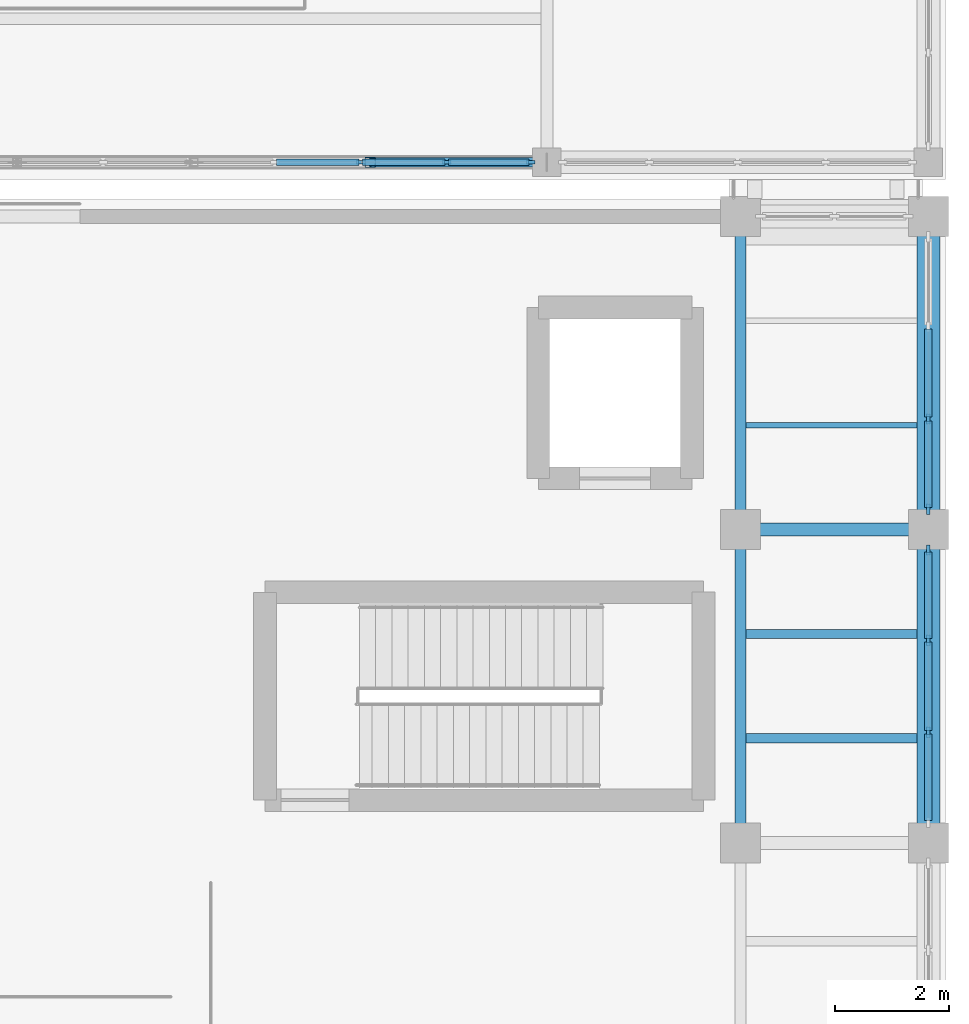
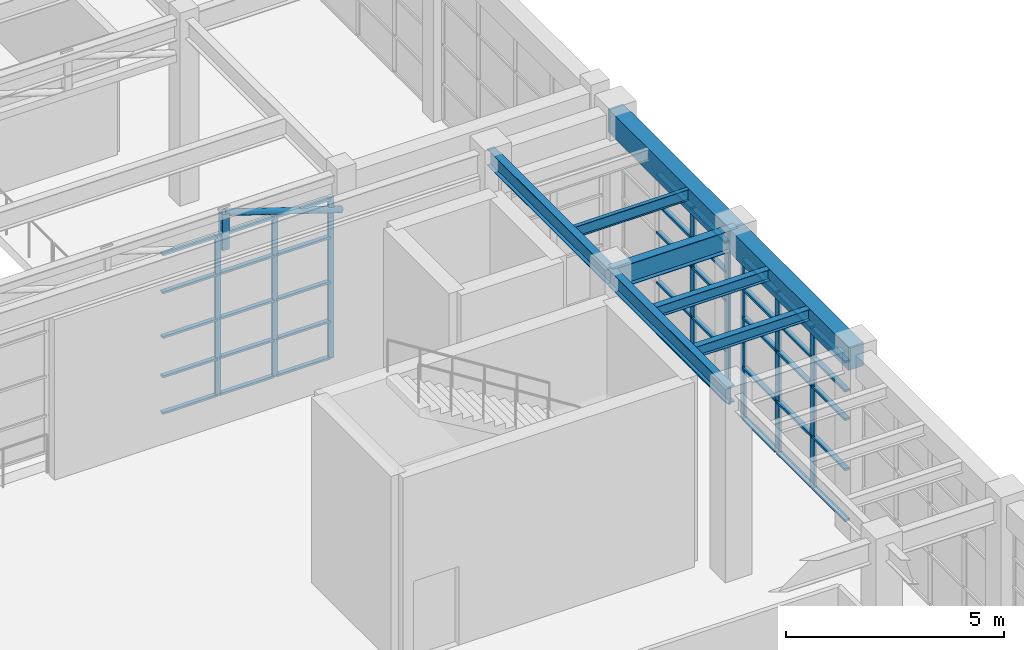
# One storey, part 50 of 103: 50 members, 8 beams, 3 elements without a shape of their own.
"""IFC4 building model written with IfcOpenShell, lengths in metres."""

import ifcopenshell
import ifcopenshell.guid

model = None  # the IFC model being written
_history = None  # IfcOwnerHistory: only IFC2X3 demands one
_inside = {}  # id of a spatial element -> (the spatial element, [elements in it])
_under = {}  # id of a project, library or spatial element -> (it, [spatial elements below it])
_declared = {}  # id of a project -> (the project, [libraries it declares])
_typed = {}  # id of a type object -> (the type object, [elements of that type])
_made_of = {}  # id of a material, layer set ... -> (it, [elements and type objects made of it])


def new_model(schema):
    """Start an empty IFC model of exactly this schema.

    Asked for "IFC4X3", IfcOpenShell would pick the latest addendum, in which some entities
    have other attributes; the version numbers below select the first issue.
    IFC2X3 requires an IfcOwnerHistory on every rooted entity: one is made here for all.
    """
    global model, _history
    if schema == "IFC4X3":
        model = ifcopenshell.file(schema_version=(4, 3, 0, 0))
    else:
        model = ifcopenshell.file(schema=schema)
    _inside.clear()
    _under.clear()
    _declared.clear()
    _typed.clear()
    _made_of.clear()
    _history = None
    if model.schema == "IFC2X3":
        org = make("IfcOrganization", Name="unknown")
        user = make(
            "IfcPersonAndOrganization",
            ThePerson=make("IfcPerson", FamilyName="unknown"),
            TheOrganization=org,
        )
        app = make(
            "IfcApplication",
            ApplicationDeveloper=org,
            Version="unknown",
            ApplicationFullName="unknown",
            ApplicationIdentifier="unknown",
        )
        _history = make(
            "IfcOwnerHistory",
            OwningUser=user,
            OwningApplication=app,
            ChangeAction="ADDED",
            CreationDate=0,
        )
    return model


def make(cls, **values):
    """One entity of the class cls with the attributes given. An attribute that is None is left unset."""
    return model.create_entity(
        cls, **{name: value for name, value in values.items() if value is not None}
    )


def rooted(cls, **values):
    """An entity with a GlobalId (a new one), such as an element, a storey or a relation."""
    return make(cls, GlobalId=ifcopenshell.guid.new(), OwnerHistory=_history, **values)


def si_unit(unit_type, name, prefix=None):
    """IfcSIUnit, for example si_unit("LENGTHUNIT", "METRE", prefix="MILLI")."""
    return make("IfcSIUnit", UnitType=unit_type, Prefix=prefix, Name=name)


def assignment(units):
    """IfcUnitAssignment: the units of a project."""
    return None if units is None else make("IfcUnitAssignment", Units=units)


def point(xyz):
    """IfcCartesianPoint."""
    return None if xyz is None else make("IfcCartesianPoint", Coordinates=xyz)


def direction(xyz):
    """IfcDirection."""
    return None if xyz is None else make("IfcDirection", DirectionRatios=xyz)


def frame(location, z_axis=None, x_axis=None):
    """IfcAxis2Placement3D, a coordinate frame: its origin and axes. An axis left out is left unset."""
    return make(
        "IfcAxis2Placement3D",
        Location=point(location),
        Axis=direction(z_axis),
        RefDirection=direction(x_axis),
    )


def frame_2d(location, x_axis=None):
    """IfcAxis2Placement2D, a coordinate frame in the plane: its origin and x axis."""
    return make(
        "IfcAxis2Placement2D", Location=point(location), RefDirection=direction(x_axis)
    )


def origin():
    """The frame at (0, 0, 0) with its axes left unset."""
    return frame((0.0, 0.0, 0.0))


def origin_2d():
    """The frame at (0, 0) in the plane with its x axis left unset."""
    return frame_2d((0.0, 0.0))


def place(relative_to, where):
    """IfcLocalPlacement: puts the frame where relative to a parent placement (None: the world)."""
    return make(
        "IfcLocalPlacement", PlacementRelTo=relative_to, RelativePlacement=where
    )


def context(
    kind, dimensions, precision=None, world=None, true_north=None, identifier=None
):
    """IfcGeometricRepresentationContext, for example the 3D "Model" context."""
    return make(
        "IfcGeometricRepresentationContext",
        ContextIdentifier=identifier,
        ContextType=kind,
        CoordinateSpaceDimension=dimensions,
        Precision=precision,
        WorldCoordinateSystem=world,
        TrueNorth=true_north,
    )


def subcontext(parent, identifier, kind, view, scale=None):
    """IfcGeometricRepresentationSubContext, for example "Body" below "Model"."""
    return make(
        "IfcGeometricRepresentationSubContext",
        ContextIdentifier=identifier,
        ContextType=kind,
        ParentContext=parent,
        TargetScale=scale,
        TargetView=view,
    )


def project(units=None, contexts=None):
    """IfcProject with its units and contexts."""
    return rooted(
        "IfcProject",
        Name="project",
        RepresentationContexts=contexts,
        UnitsInContext=assignment(units),
    )


def spatial(cls, under=None, at=None, **own):
    """A site, building, storey or space (cls), placed at a placement, below another one or the project."""
    s = rooted(cls, ObjectPlacement=at, **own)
    if under is not None:
        _under.setdefault(under.id(), (under, []))[1].append(s)
    return s


def profile(cls, at=None, kind="AREA", **sizes):
    """A parametric profile (cls). Its sizes go by their IFC names, for example OverallWidth=200.0."""
    return make(cls, ProfileType=kind, Position=at, **sizes)


def rectangle(**sizes):
    """IfcRectangleProfileDef."""
    return profile("IfcRectangleProfileDef", **sizes)


def hollow_rectangle(**sizes):
    """IfcRectangleHollowProfileDef."""
    return profile("IfcRectangleHollowProfileDef", **sizes)


def hollow_circle(**sizes):
    """IfcCircleHollowProfileDef."""
    return profile("IfcCircleHollowProfileDef", **sizes)


def i_section(**sizes):
    """IfcIShapeProfileDef."""
    return profile("IfcIShapeProfileDef", **sizes)


def extrude(swept, where, along, depth):
    """IfcExtrudedAreaSolid: the profile swept, set in the frame where, extruded along a direction by depth."""
    return make(
        "IfcExtrudedAreaSolid",
        SweptArea=swept,
        Position=where,
        ExtrudedDirection=direction(along),
        Depth=depth,
    )


def shape(context_of_items, identifier, shape_type, items):
    """IfcShapeRepresentation: the items that make up one representation, for example the "Body"."""
    return make(
        "IfcShapeRepresentation",
        ContextOfItems=context_of_items,
        RepresentationIdentifier=identifier,
        RepresentationType=shape_type,
        Items=items,
    )


def material(Name=None, Category=None):
    """IfcMaterial."""
    return make("IfcMaterial", Name=Name, Category=Category)


def layer(
    of_material, thickness, ventilated=None, Name=None, Category=None, Priority=None
):
    """IfcMaterialLayer: one layer of a wall or slab, of a material (None: an air gap)."""
    return make(
        "IfcMaterialLayer",
        Material=of_material,
        LayerThickness=thickness,
        IsVentilated=ventilated,
        Name=Name,
        Category=Category,
        Priority=Priority,
    )


def layer_set(layers, Name=None):
    """IfcMaterialLayerSet."""
    return make("IfcMaterialLayerSet", MaterialLayers=layers, LayerSetName=Name)


def material_profile(
    of_material, cross_section, Name=None, Category=None, Priority=None
):
    """IfcMaterialProfile: a cross section and its material."""
    return make(
        "IfcMaterialProfile",
        Name=Name,
        Material=of_material,
        Profile=cross_section,
        Priority=Priority,
        Category=Category,
    )


def profile_set(profiles, Name=None, composite=None):
    """IfcMaterialProfileSet."""
    return make(
        "IfcMaterialProfileSet",
        Name=Name,
        MaterialProfiles=profiles,
        CompositeProfile=composite,
    )


def made_of(thing, what):
    """Note that an element or type object is made of a material, layer set ...; save() writes the relation."""
    if what is not None:
        _made_of.setdefault(what.id(), (what, []))[1].append(thing)
    return thing


def type_object(cls, material=None, **own):
    """A type object (cls), such as IfcWallType, which elements share."""
    return made_of(rooted(cls, **own), material)


def element(
    cls,
    number,
    at=None,
    inside=None,
    cuts=None,
    type_object=None,
    material=None,
    context=None,
    identifier="Body",
    shape_type=None,
    held_by="IfcProductDefinitionShape",
    body=None,
    shapes=None,
    **own,
):
    """One element of the class cls, such as IfcWall. Its Tag is "e" and its number.

    at: its placement. inside: the storey or other place that contains it. cuts: it is an
    opening in that element (IfcRelVoidsElement). A single representation is given by context,
    identifier, shape_type and body (its items); several are given by shapes. held_by: the class
    of the entity that holds the representations. save() writes the other relations.
    """
    e = rooted(cls, Tag="e%d" % number, ObjectPlacement=at, **own)
    if body is not None:
        shapes = [shape(context, identifier, shape_type, body)]
    if shapes is not None:
        e.Representation = make(held_by, Representations=shapes)
    if inside is not None:
        _inside.setdefault(inside.id(), (inside, []))[1].append(e)
    if cuts is not None:
        rooted(
            "IfcRelVoidsElement", RelatingBuildingElement=cuts, RelatedOpeningElement=e
        )
    if type_object is not None:
        _typed.setdefault(type_object.id(), (type_object, []))[1].append(e)
    return made_of(e, material)


def aggregate(whole, parts):
    """IfcRelAggregates: a whole, such as a stair, and the parts it consists of."""
    return rooted("IfcRelAggregates", RelatingObject=whole, RelatedObjects=parts)


def save(model, path):
    """Write the relations noted so far, then the file.

    IfcRelAggregates (storeys below a building ...), IfcRelContainedInSpatialStructure (elements
    in a storey), IfcRelDefinesByType, IfcRelAssociatesMaterial and IfcRelDeclares: one each for
    every whole, place, type object, material and project.
    """
    for whole, parts in _under.values():
        aggregate(whole, parts)
    for where, things in _inside.values():
        rooted(
            "IfcRelContainedInSpatialStructure",
            RelatedElements=things,
            RelatingStructure=where,
        )
    for kind, things in _typed.values():
        rooted("IfcRelDefinesByType", RelatedObjects=things, RelatingType=kind)
    for what, things in _made_of.values():
        rooted("IfcRelAssociatesMaterial", RelatedObjects=things, RelatingMaterial=what)
    for by, libraries in _declared.values():
        rooted("IfcRelDeclares", RelatingContext=by, RelatedDefinitions=libraries)
    model.write(path)


model = new_model("IFC4")

# Units and contexts
model_context = context("Model", 3, precision=1e-05, world=origin(), true_north=direction((0.0, 1.0)))
body_context = subcontext(model_context, "Body", "Model", "MODEL_VIEW")
ifc_project = project(units=[si_unit("LENGTHUNIT", "METRE"), si_unit("AREAUNIT", "SQUARE_METRE"), si_unit("VOLUMEUNIT", "CUBIC_METRE"), si_unit("PLANEANGLEUNIT", "RADIAN"), si_unit("MASSUNIT", "GRAM", prefix="KILO")], contexts=[model_context])

# Site, building, storey
site_placement = place(None, origin())
site = spatial("IfcSite", under=ifc_project, at=site_placement, CompositionType="ELEMENT")
building_placement = place(site_placement, origin())
building = spatial("IfcBuilding", under=site, at=building_placement, Name="Candilejo Ridge Gondola Terminal", CompositionType="ELEMENT")
storey_placement = place(building_placement, frame((0.0, 0.0, 9.0)))
storey = spatial("IfcBuildingStorey", under=building, at=storey_placement, Name="L02", CompositionType="ELEMENT", Elevation=9.0)

# Curtain wall, members
ifc_material_1 = material(Name="Anodised aluminium AA 6063-T6", Category="aluminium")
ifc_layer_1 = layer(ifc_material_1, 0.169921875)
ifc_layer_set_1 = layer_set([ifc_layer_1], Name="ARC-CW-TOWER-3000-1810X449")
curtain_wall_type_1 = type_object("IfcCurtainWallType", Name="ARC-CW-TOWER-3000-1810X449", PredefinedType="NOTDEFINED", material=ifc_layer_set_1)
curtain_wall_1_placement = place(storey_placement, origin())
curtain_wall_1 = element("IfcCurtainWall", 1, at=curtain_wall_1_placement, inside=storey, type_object=curtain_wall_type_1, Name="Curtain wall V5 L02-192", PredefinedType="NOTDEFINED")
ifc_material_2 = material(Name="Anodised aluminium AA 6063-T6", Category="aluminium")
ifc_material_profile_1 = material_profile(ifc_material_2, rectangle(XDim=0.06494140625, YDim=0.14990234375, at=origin_2d()))
ifc_profile_set_1 = profile_set([ifc_material_profile_1], Name="Anodised aluminium AA 6063-T6")
member_type_1 = type_object("IfcMemberType", Name="ARC-CW-MULLION-150", PredefinedType="MULLION", material=ifc_profile_set_1)
member_1_placement = place(storey_placement, frame((165.333251953125, 48.64990234375, 0.0), z_axis=(0.0, 0.0, 1.0), x_axis=(0.0, 1.0, 0.0)))
member_1 = element("IfcMember", 2, at=member_1_placement, type_object=member_type_1, Name="CW-181X44 mullion 11", PredefinedType="MULLION", context=body_context, shape_type="SweptSolid", body=[
    extrude(rectangle(XDim=0.06494140625, YDim=0.14990234375, at=origin_2d()), origin(), (0.0, 0.0, 1.0), 4.489990234375),
])
member_2_placement = place(storey_placement, frame((166.841552734375, 48.64990234375, 0.0), z_axis=(0.0, 0.0, 1.0), x_axis=(0.0, 1.0, 0.0)))
member_2 = element("IfcMember", 3, at=member_2_placement, type_object=member_type_1, Name="CW-181X44 mullion 12", PredefinedType="MULLION", context=body_context, shape_type="SweptSolid", body=[
    extrude(rectangle(XDim=0.06494140625, YDim=0.14990234375, at=origin_2d()), origin(), (0.0, 0.0, 1.0), 4.489990234375),
])
member_3_placement = place(storey_placement, frame((168.3173828125, 48.64990234375, 0.0), z_axis=(0.0, 0.0, 1.0), x_axis=(0.0, 1.0, 0.0)))
member_3 = element("IfcMember", 4, at=member_3_placement, type_object=member_type_1, Name="CW-181X44 mullion 13", PredefinedType="MULLION", context=body_context, shape_type="SweptSolid", body=[
    extrude(rectangle(XDim=0.06494140625, YDim=0.14990234375, at=origin_2d()), origin(), (0.0, 0.0, 1.0), 4.489990234375),
])

ifc_material_3 = material(Name="Anodised aluminium AA 6063-T6", Category="aluminium")
ifc_layer_2 = layer(ifc_material_3, 0.169921875)
ifc_layer_set_2 = layer_set([ifc_layer_2], Name="ARC-CW-HALL-3800-485X449")
curtain_wall_type_2 = type_object("IfcCurtainWallType", Name="ARC-CW-HALL-3800-485X449", PredefinedType="NOTDEFINED", material=ifc_layer_set_2)
curtain_wall_2_placement = place(storey_placement, origin())
curtain_wall_2 = element("IfcCurtainWall", 5, at=curtain_wall_2_placement, inside=storey, type_object=curtain_wall_type_2, Name="Curtain wall V4 L02-141", PredefinedType="NOTDEFINED")
ifc_material_4 = material(Name="Anodised aluminium AA 6063-T6", Category="aluminium")
ifc_material_profile_2 = material_profile(ifc_material_4, rectangle(XDim=0.06494140625, YDim=0.179931640625, at=origin_2d()))
ifc_profile_set_2 = profile_set([ifc_material_profile_2], Name="Anodised aluminium AA 6063-T6")
member_type_2 = type_object("IfcMemberType", Name="ARC-CW-MULLION-180", PredefinedType="MULLION", material=ifc_profile_set_2)
member_4_placement = place(storey_placement, frame((175.300048828125, 38.6416015625, 0.0), z_axis=(0.0, 0.0, 1.0), x_axis=(-1.0, 0.0, 0.0)))
member_4 = element("IfcMember", 6, at=member_4_placement, type_object=member_type_2, Name="CW-48X44 mullion 2", PredefinedType="MULLION", context=body_context, shape_type="SweptSolid", body=[
    extrude(rectangle(XDim=0.06494140625, YDim=0.179931640625, at=origin_2d()), origin(), (0.0, 0.0, 1.0), 4.489990234375),
])
member_5_placement = place(storey_placement, frame((175.300048828125, 40.25830078125, 0.0), z_axis=(0.0, 0.0, 1.0), x_axis=(-1.0, 0.0, 0.0)))
member_5 = element("IfcMember", 7, at=member_5_placement, type_object=member_type_2, Name="CW-48X44 mullion 3", PredefinedType="MULLION", context=body_context, shape_type="SweptSolid", body=[
    extrude(rectangle(XDim=0.06494140625, YDim=0.179931640625, at=origin_2d()), origin(), (0.0, 0.0, 1.0), 4.489990234375),
])
member_6_placement = place(storey_placement, frame((175.300048828125, 41.842529296875, 0.0), z_axis=(0.0, 0.0, 1.0), x_axis=(-1.0, 0.0, 0.0)))
member_6 = element("IfcMember", 8, at=member_6_placement, type_object=member_type_2, Name="CW-48X44 mullion 4", PredefinedType="MULLION", context=body_context, shape_type="SweptSolid", body=[
    extrude(rectangle(XDim=0.06494140625, YDim=0.179931640625, at=origin_2d()), origin(), (0.0, 0.0, 1.0), 4.489990234375),
])

curtain_wall_3_placement = place(storey_placement, origin())
curtain_wall_3 = element("IfcCurtainWall", 9, at=curtain_wall_3_placement, inside=storey, type_object=curtain_wall_type_2, Name="Curtain wall V4 L02-143", PredefinedType="NOTDEFINED")
member_7_placement = place(storey_placement, frame((175.300048828125, 42.5576171875, 0.0), z_axis=(0.0, 0.0, 1.0), x_axis=(-1.0, 0.0, 0.0)))
member_7 = element("IfcMember", 10, at=member_7_placement, type_object=member_type_2, Name="CW-48X44 mullion 1", PredefinedType="MULLION", context=body_context, shape_type="SweptSolid", body=[
    extrude(rectangle(XDim=0.06494140625, YDim=0.179931640625, at=origin_2d()), origin(), (0.0, 0.0, 1.0), 4.489990234375),
])
member_8_placement = place(storey_placement, frame((175.300048828125, 44.1416015625, 0.0), z_axis=(0.0, 0.0, 1.0), x_axis=(-1.0, 0.0, 0.0)))
member_8 = element("IfcMember", 11, at=member_8_placement, type_object=member_type_2, Name="CW-48X44 mullion 2", PredefinedType="MULLION", context=body_context, shape_type="SweptSolid", body=[
    extrude(rectangle(XDim=0.06494140625, YDim=0.179931640625, at=origin_2d()), origin(), (0.0, 0.0, 1.0), 4.489990234375),
])

# Member
ifc_material_5 = material(Name="Anodised aluminium AA 6063-T6", Category="aluminium")
ifc_material_profile_3 = material_profile(ifc_material_5, rectangle(XDim=0.110107421875, YDim=0.06005859375, at=origin_2d()))
ifc_profile_set_3 = profile_set([ifc_material_profile_3], Name="Anodised aluminium AA 6063-T6")
member_type_3 = type_object("IfcMemberType", Name="ARC-CW-TRANSOM-110", PredefinedType="USERDEFINED", material=ifc_profile_set_3)
member_9_placement = place(storey_placement, frame((163.857421875, 48.64990234375, 0.030029296875), z_axis=(1.0, 0.0, 0.0), x_axis=(0.0, 1.0, 0.0)))
member_9 = element("IfcMember", 12, at=member_9_placement, type_object=member_type_3, Name="CW-181X44 transom 10.1", ObjectType="TRANSOM", PredefinedType="USERDEFINED", context=body_context, shape_type="SweptSolid", body=[
    extrude(rectangle(XDim=0.110107421875, YDim=0.06005859375, at=origin_2d()), origin(), (0.0, 0.0, 1.0), 1.443359375),
])

member_10_placement = place(storey_placement, frame((163.857421875, 48.64990234375, 1.050048828125), z_axis=(1.0, 0.0, 0.0), x_axis=(0.0, 1.0, 0.0)))
member_10 = element("IfcMember", 13, at=member_10_placement, type_object=member_type_3, Name="CW-181X44 transom 10.2", ObjectType="TRANSOM", PredefinedType="USERDEFINED", context=body_context, shape_type="SweptSolid", body=[
    extrude(rectangle(XDim=0.110107421875, YDim=0.06005859375, at=origin_2d()), origin(), (0.0, 0.0, 1.0), 1.443359375),
])

member_11_placement = place(storey_placement, frame((163.857421875, 48.64990234375, 2.14990234375), z_axis=(1.0, 0.0, 0.0), x_axis=(0.0, 1.0, 0.0)))
member_11 = element("IfcMember", 14, at=member_11_placement, type_object=member_type_3, Name="CW-181X44 transom 10.3", ObjectType="TRANSOM", PredefinedType="USERDEFINED", context=body_context, shape_type="SweptSolid", body=[
    extrude(rectangle(XDim=0.110107421875, YDim=0.06005859375, at=origin_2d()), origin(), (0.0, 0.0, 1.0), 1.443359375),
])

member_12_placement = place(storey_placement, frame((163.857421875, 48.64990234375, 3.39990234375), z_axis=(1.0, 0.0, 0.0), x_axis=(0.0, 1.0, 0.0)))
member_12 = element("IfcMember", 15, at=member_12_placement, type_object=member_type_3, Name="CW-181X44 transom 10.4", ObjectType="TRANSOM", PredefinedType="USERDEFINED", context=body_context, shape_type="SweptSolid", body=[
    extrude(rectangle(XDim=0.110107421875, YDim=0.06005859375, at=origin_2d()), origin(), (0.0, 0.0, 1.0), 1.443359375),
])

member_13_placement = place(storey_placement, frame((163.857421875, 48.64990234375, 4.4599609375), z_axis=(1.0, 0.0, 0.0), x_axis=(0.0, 1.0, 0.0)))
member_13 = element("IfcMember", 16, at=member_13_placement, type_object=member_type_3, Name="CW-181X44 transom 10.5", ObjectType="TRANSOM", PredefinedType="USERDEFINED", context=body_context, shape_type="SweptSolid", body=[
    extrude(rectangle(XDim=0.110107421875, YDim=0.06005859375, at=origin_2d()), origin(), (0.0, 0.0, 1.0), 1.443359375),
])

member_14_placement = place(storey_placement, frame((165.36572265625, 48.64990234375, 0.030029296875), z_axis=(1.0, 0.0, 0.0), x_axis=(0.0, 1.0, 0.0)))
member_14 = element("IfcMember", 17, at=member_14_placement, type_object=member_type_3, Name="CW-181X44 transom 11.1", ObjectType="TRANSOM", PredefinedType="USERDEFINED", context=body_context, shape_type="SweptSolid", body=[
    extrude(rectangle(XDim=0.110107421875, YDim=0.06005859375, at=origin_2d()), origin(), (0.0, 0.0, 1.0), 1.443359375),
])

member_15_placement = place(storey_placement, frame((165.36572265625, 48.64990234375, 1.050048828125), z_axis=(1.0, 0.0, 0.0), x_axis=(0.0, 1.0, 0.0)))
member_15 = element("IfcMember", 18, at=member_15_placement, type_object=member_type_3, Name="CW-181X44 transom 11.2", ObjectType="TRANSOM", PredefinedType="USERDEFINED", context=body_context, shape_type="SweptSolid", body=[
    extrude(rectangle(XDim=0.110107421875, YDim=0.06005859375, at=origin_2d()), origin(), (0.0, 0.0, 1.0), 1.443359375),
])

member_16_placement = place(storey_placement, frame((165.36572265625, 48.64990234375, 2.14990234375), z_axis=(1.0, 0.0, 0.0), x_axis=(0.0, 1.0, 0.0)))
member_16 = element("IfcMember", 19, at=member_16_placement, type_object=member_type_3, Name="CW-181X44 transom 11.3", ObjectType="TRANSOM", PredefinedType="USERDEFINED", context=body_context, shape_type="SweptSolid", body=[
    extrude(rectangle(XDim=0.110107421875, YDim=0.06005859375, at=origin_2d()), origin(), (0.0, 0.0, 1.0), 1.443359375),
])

member_17_placement = place(storey_placement, frame((165.36572265625, 48.64990234375, 3.39990234375), z_axis=(1.0, 0.0, 0.0), x_axis=(0.0, 1.0, 0.0)))
member_17 = element("IfcMember", 20, at=member_17_placement, type_object=member_type_3, Name="CW-181X44 transom 11.4", ObjectType="TRANSOM", PredefinedType="USERDEFINED", context=body_context, shape_type="SweptSolid", body=[
    extrude(rectangle(XDim=0.110107421875, YDim=0.06005859375, at=origin_2d()), origin(), (0.0, 0.0, 1.0), 1.443359375),
])

member_18_placement = place(storey_placement, frame((165.36572265625, 48.64990234375, 4.4599609375), z_axis=(1.0, 0.0, 0.0), x_axis=(0.0, 1.0, 0.0)))
member_18 = element("IfcMember", 21, at=member_18_placement, type_object=member_type_3, Name="CW-181X44 transom 11.5", ObjectType="TRANSOM", PredefinedType="USERDEFINED", context=body_context, shape_type="SweptSolid", body=[
    extrude(rectangle(XDim=0.110107421875, YDim=0.06005859375, at=origin_2d()), origin(), (0.0, 0.0, 1.0), 1.443359375),
])

member_19_placement = place(storey_placement, frame((166.874267578125, 48.64990234375, 0.030029296875), z_axis=(1.0, 0.0, 0.0), x_axis=(0.0, 1.0, 0.0)))
member_19 = element("IfcMember", 22, at=member_19_placement, type_object=member_type_3, Name="CW-181X44 transom 12.1", ObjectType="TRANSOM", PredefinedType="USERDEFINED", context=body_context, shape_type="SweptSolid", body=[
    extrude(rectangle(XDim=0.110107421875, YDim=0.06005859375, at=origin_2d()), origin(), (0.0, 0.0, 1.0), 1.41064453125),
])

member_20_placement = place(storey_placement, frame((166.874267578125, 48.64990234375, 1.050048828125), z_axis=(1.0, 0.0, 0.0), x_axis=(0.0, 1.0, 0.0)))
member_20 = element("IfcMember", 23, at=member_20_placement, type_object=member_type_3, Name="CW-181X44 transom 12.2", ObjectType="TRANSOM", PredefinedType="USERDEFINED", context=body_context, shape_type="SweptSolid", body=[
    extrude(rectangle(XDim=0.110107421875, YDim=0.06005859375, at=origin_2d()), origin(), (0.0, 0.0, 1.0), 1.41064453125),
])

member_21_placement = place(storey_placement, frame((166.874267578125, 48.64990234375, 2.14990234375), z_axis=(1.0, 0.0, 0.0), x_axis=(0.0, 1.0, 0.0)))
member_21 = element("IfcMember", 24, at=member_21_placement, type_object=member_type_3, Name="CW-181X44 transom 12.3", ObjectType="TRANSOM", PredefinedType="USERDEFINED", context=body_context, shape_type="SweptSolid", body=[
    extrude(rectangle(XDim=0.110107421875, YDim=0.06005859375, at=origin_2d()), origin(), (0.0, 0.0, 1.0), 1.41064453125),
])

member_22_placement = place(storey_placement, frame((166.874267578125, 48.64990234375, 3.39990234375), z_axis=(1.0, 0.0, 0.0), x_axis=(0.0, 1.0, 0.0)))
member_22 = element("IfcMember", 25, at=member_22_placement, type_object=member_type_3, Name="CW-181X44 transom 12.4", ObjectType="TRANSOM", PredefinedType="USERDEFINED", context=body_context, shape_type="SweptSolid", body=[
    extrude(rectangle(XDim=0.110107421875, YDim=0.06005859375, at=origin_2d()), origin(), (0.0, 0.0, 1.0), 1.41064453125),
])

member_23_placement = place(storey_placement, frame((166.874267578125, 48.64990234375, 4.4599609375), z_axis=(1.0, 0.0, 0.0), x_axis=(0.0, 1.0, 0.0)))
member_23 = element("IfcMember", 26, at=member_23_placement, type_object=member_type_3, Name="CW-181X44 transom 12.5", ObjectType="TRANSOM", PredefinedType="USERDEFINED", context=body_context, shape_type="SweptSolid", body=[
    extrude(rectangle(XDim=0.110107421875, YDim=0.06005859375, at=origin_2d()), origin(), (0.0, 0.0, 1.0), 1.41064453125),
])

aggregate(curtain_wall_1, [member_1, member_2, member_3, member_9, member_10, member_11, member_12, member_13, member_14, member_15, member_16, member_17, member_18, member_19, member_20, member_21, member_22, member_23])

ifc_material_6 = material(Name="Anodised aluminium AA 6063-T6", Category="aluminium")
ifc_material_profile_4 = material_profile(ifc_material_6, rectangle(XDim=0.1298828125, YDim=0.06005859375, at=origin_2d()))
ifc_profile_set_4 = profile_set([ifc_material_profile_4], Name="Anodised aluminium AA 6063-T6")
member_type_4 = type_object("IfcMemberType", Name="ARC-CW-TRANSOM-130", PredefinedType="USERDEFINED", material=ifc_profile_set_4)
member_24_placement = place(storey_placement, frame((175.300048828125, 37.090087890625, 0.030029296875), z_axis=(0.0, 1.0, 0.0), x_axis=(-1.0, 0.0, 0.0)))
member_24 = element("IfcMember", 27, at=member_24_placement, type_object=member_type_4, Name="CW-48X44 transom 1.1", ObjectType="TRANSOM", PredefinedType="USERDEFINED", context=body_context, shape_type="SweptSolid", body=[
    extrude(rectangle(XDim=0.1298828125, YDim=0.06005859375, at=origin_2d()), origin(), (0.0, 0.0, 1.0), 1.51904296875),
])

member_25_placement = place(storey_placement, frame((175.300048828125, 37.090087890625, 1.449951171875), z_axis=(0.0, 1.0, 0.0), x_axis=(-1.0, 0.0, 0.0)))
member_25 = element("IfcMember", 28, at=member_25_placement, type_object=member_type_4, Name="CW-48X44 transom 1.2", ObjectType="TRANSOM", PredefinedType="USERDEFINED", context=body_context, shape_type="SweptSolid", body=[
    extrude(rectangle(XDim=0.1298828125, YDim=0.06005859375, at=origin_2d()), origin(), (0.0, 0.0, 1.0), 1.51904296875),
])

member_26_placement = place(storey_placement, frame((175.300048828125, 37.090087890625, 2.85009765625), z_axis=(0.0, 1.0, 0.0), x_axis=(-1.0, 0.0, 0.0)))
member_26 = element("IfcMember", 29, at=member_26_placement, type_object=member_type_4, Name="CW-48X44 transom 1.3", ObjectType="TRANSOM", PredefinedType="USERDEFINED", context=body_context, shape_type="SweptSolid", body=[
    extrude(rectangle(XDim=0.1298828125, YDim=0.06005859375, at=origin_2d()), origin(), (0.0, 0.0, 1.0), 1.51904296875),
])

member_27_placement = place(storey_placement, frame((175.300048828125, 37.090087890625, 3.64990234375), z_axis=(0.0, 1.0, 0.0), x_axis=(-1.0, 0.0, 0.0)))
member_27 = element("IfcMember", 30, at=member_27_placement, type_object=member_type_4, Name="CW-48X44 transom 1.4", ObjectType="TRANSOM", PredefinedType="USERDEFINED", context=body_context, shape_type="SweptSolid", body=[
    extrude(rectangle(XDim=0.1298828125, YDim=0.06005859375, at=origin_2d()), origin(), (0.0, 0.0, 1.0), 1.51904296875),
])

member_28_placement = place(storey_placement, frame((175.300048828125, 37.090087890625, 4.4599609375), z_axis=(0.0, 1.0, 0.0), x_axis=(-1.0, 0.0, 0.0)))
member_28 = element("IfcMember", 31, at=member_28_placement, type_object=member_type_4, Name="CW-48X44 transom 1.5", ObjectType="TRANSOM", PredefinedType="USERDEFINED", context=body_context, shape_type="SweptSolid", body=[
    extrude(rectangle(XDim=0.1298828125, YDim=0.06005859375, at=origin_2d()), origin(), (0.0, 0.0, 1.0), 1.51904296875),
])

member_29_placement = place(storey_placement, frame((175.300048828125, 38.674072265625, 0.030029296875), z_axis=(0.0, 1.0, 0.0), x_axis=(-1.0, 0.0, 0.0)))
member_29 = element("IfcMember", 32, at=member_29_placement, type_object=member_type_4, Name="CW-48X44 transom 2.1", ObjectType="TRANSOM", PredefinedType="USERDEFINED", context=body_context, shape_type="SweptSolid", body=[
    extrude(rectangle(XDim=0.1298828125, YDim=0.06005859375, at=origin_2d()), origin(), (0.0, 0.0, 1.0), 1.5517578125),
])

member_30_placement = place(storey_placement, frame((175.300048828125, 38.674072265625, 1.449951171875), z_axis=(0.0, 1.0, 0.0), x_axis=(-1.0, 0.0, 0.0)))
member_30 = element("IfcMember", 33, at=member_30_placement, type_object=member_type_4, Name="CW-48X44 transom 2.2", ObjectType="TRANSOM", PredefinedType="USERDEFINED", context=body_context, shape_type="SweptSolid", body=[
    extrude(rectangle(XDim=0.1298828125, YDim=0.06005859375, at=origin_2d()), origin(), (0.0, 0.0, 1.0), 1.5517578125),
])

member_31_placement = place(storey_placement, frame((175.300048828125, 38.674072265625, 2.85009765625), z_axis=(0.0, 1.0, 0.0), x_axis=(-1.0, 0.0, 0.0)))
member_31 = element("IfcMember", 34, at=member_31_placement, type_object=member_type_4, Name="CW-48X44 transom 2.3", ObjectType="TRANSOM", PredefinedType="USERDEFINED", context=body_context, shape_type="SweptSolid", body=[
    extrude(rectangle(XDim=0.1298828125, YDim=0.06005859375, at=origin_2d()), origin(), (0.0, 0.0, 1.0), 1.5517578125),
])

member_32_placement = place(storey_placement, frame((175.300048828125, 38.674072265625, 3.64990234375), z_axis=(0.0, 1.0, 0.0), x_axis=(-1.0, 0.0, 0.0)))
member_32 = element("IfcMember", 35, at=member_32_placement, type_object=member_type_4, Name="CW-48X44 transom 2.4", ObjectType="TRANSOM", PredefinedType="USERDEFINED", context=body_context, shape_type="SweptSolid", body=[
    extrude(rectangle(XDim=0.1298828125, YDim=0.06005859375, at=origin_2d()), origin(), (0.0, 0.0, 1.0), 1.5517578125),
])

member_33_placement = place(storey_placement, frame((175.300048828125, 38.674072265625, 4.4599609375), z_axis=(0.0, 1.0, 0.0), x_axis=(-1.0, 0.0, 0.0)))
member_33 = element("IfcMember", 36, at=member_33_placement, type_object=member_type_4, Name="CW-48X44 transom 2.5", ObjectType="TRANSOM", PredefinedType="USERDEFINED", context=body_context, shape_type="SweptSolid", body=[
    extrude(rectangle(XDim=0.1298828125, YDim=0.06005859375, at=origin_2d()), origin(), (0.0, 0.0, 1.0), 1.5517578125),
])

member_34_placement = place(storey_placement, frame((175.300048828125, 40.290771484375, 0.030029296875), z_axis=(0.0, 1.0, 0.0), x_axis=(-1.0, 0.0, 0.0)))
member_34 = element("IfcMember", 37, at=member_34_placement, type_object=member_type_4, Name="CW-48X44 transom 3.1", ObjectType="TRANSOM", PredefinedType="USERDEFINED", context=body_context, shape_type="SweptSolid", body=[
    extrude(rectangle(XDim=0.1298828125, YDim=0.06005859375, at=origin_2d()), origin(), (0.0, 0.0, 1.0), 1.519287109375),
])

member_35_placement = place(storey_placement, frame((175.300048828125, 40.290771484375, 1.449951171875), z_axis=(0.0, 1.0, 0.0), x_axis=(-1.0, 0.0, 0.0)))
member_35 = element("IfcMember", 38, at=member_35_placement, type_object=member_type_4, Name="CW-48X44 transom 3.2", ObjectType="TRANSOM", PredefinedType="USERDEFINED", context=body_context, shape_type="SweptSolid", body=[
    extrude(rectangle(XDim=0.1298828125, YDim=0.06005859375, at=origin_2d()), origin(), (0.0, 0.0, 1.0), 1.519287109375),
])

member_36_placement = place(storey_placement, frame((175.300048828125, 40.290771484375, 2.85009765625), z_axis=(0.0, 1.0, 0.0), x_axis=(-1.0, 0.0, 0.0)))
member_36 = element("IfcMember", 39, at=member_36_placement, type_object=member_type_4, Name="CW-48X44 transom 3.3", ObjectType="TRANSOM", PredefinedType="USERDEFINED", context=body_context, shape_type="SweptSolid", body=[
    extrude(rectangle(XDim=0.1298828125, YDim=0.06005859375, at=origin_2d()), origin(), (0.0, 0.0, 1.0), 1.519287109375),
])

member_37_placement = place(storey_placement, frame((175.300048828125, 40.290771484375, 3.64990234375), z_axis=(0.0, 1.0, 0.0), x_axis=(-1.0, 0.0, 0.0)))
member_37 = element("IfcMember", 40, at=member_37_placement, type_object=member_type_4, Name="CW-48X44 transom 3.4", ObjectType="TRANSOM", PredefinedType="USERDEFINED", context=body_context, shape_type="SweptSolid", body=[
    extrude(rectangle(XDim=0.1298828125, YDim=0.06005859375, at=origin_2d()), origin(), (0.0, 0.0, 1.0), 1.519287109375),
])

member_38_placement = place(storey_placement, frame((175.300048828125, 40.290771484375, 4.4599609375), z_axis=(0.0, 1.0, 0.0), x_axis=(-1.0, 0.0, 0.0)))
member_38 = element("IfcMember", 41, at=member_38_placement, type_object=member_type_4, Name="CW-48X44 transom 3.5", ObjectType="TRANSOM", PredefinedType="USERDEFINED", context=body_context, shape_type="SweptSolid", body=[
    extrude(rectangle(XDim=0.1298828125, YDim=0.06005859375, at=origin_2d()), origin(), (0.0, 0.0, 1.0), 1.519287109375),
])

aggregate(curtain_wall_2, [member_4, member_5, member_6, member_24, member_25, member_26, member_27, member_28, member_29, member_30, member_31, member_32, member_33, member_34, member_35, member_36, member_37, member_38])

member_39_placement = place(storey_placement, frame((175.300048828125, 42.590087890625, 0.030029296875), z_axis=(0.0, 1.0, 0.0), x_axis=(-1.0, 0.0, 0.0)))
member_39 = element("IfcMember", 42, at=member_39_placement, type_object=member_type_4, Name="CW-48X44 transom 1.1", ObjectType="TRANSOM", PredefinedType="USERDEFINED", context=body_context, shape_type="SweptSolid", body=[
    extrude(rectangle(XDim=0.1298828125, YDim=0.06005859375, at=origin_2d()), origin(), (0.0, 0.0, 1.0), 1.51904296875),
])

member_40_placement = place(storey_placement, frame((175.300048828125, 42.590087890625, 1.449951171875), z_axis=(0.0, 1.0, 0.0), x_axis=(-1.0, 0.0, 0.0)))
member_40 = element("IfcMember", 43, at=member_40_placement, type_object=member_type_4, Name="CW-48X44 transom 1.2", ObjectType="TRANSOM", PredefinedType="USERDEFINED", context=body_context, shape_type="SweptSolid", body=[
    extrude(rectangle(XDim=0.1298828125, YDim=0.06005859375, at=origin_2d()), origin(), (0.0, 0.0, 1.0), 1.51904296875),
])

member_41_placement = place(storey_placement, frame((175.300048828125, 42.590087890625, 2.85009765625), z_axis=(0.0, 1.0, 0.0), x_axis=(-1.0, 0.0, 0.0)))
member_41 = element("IfcMember", 44, at=member_41_placement, type_object=member_type_4, Name="CW-48X44 transom 1.3", ObjectType="TRANSOM", PredefinedType="USERDEFINED", context=body_context, shape_type="SweptSolid", body=[
    extrude(rectangle(XDim=0.1298828125, YDim=0.06005859375, at=origin_2d()), origin(), (0.0, 0.0, 1.0), 1.51904296875),
])

member_42_placement = place(storey_placement, frame((175.300048828125, 42.590087890625, 3.64990234375), z_axis=(0.0, 1.0, 0.0), x_axis=(-1.0, 0.0, 0.0)))
member_42 = element("IfcMember", 45, at=member_42_placement, type_object=member_type_4, Name="CW-48X44 transom 1.4", ObjectType="TRANSOM", PredefinedType="USERDEFINED", context=body_context, shape_type="SweptSolid", body=[
    extrude(rectangle(XDim=0.1298828125, YDim=0.06005859375, at=origin_2d()), origin(), (0.0, 0.0, 1.0), 1.51904296875),
])

member_43_placement = place(storey_placement, frame((175.300048828125, 42.590087890625, 4.4599609375), z_axis=(0.0, 1.0, 0.0), x_axis=(-1.0, 0.0, 0.0)))
member_43 = element("IfcMember", 46, at=member_43_placement, type_object=member_type_4, Name="CW-48X44 transom 1.5", ObjectType="TRANSOM", PredefinedType="USERDEFINED", context=body_context, shape_type="SweptSolid", body=[
    extrude(rectangle(XDim=0.1298828125, YDim=0.06005859375, at=origin_2d()), origin(), (0.0, 0.0, 1.0), 1.51904296875),
])

member_44_placement = place(storey_placement, frame((175.300048828125, 44.174072265625, 0.030029296875), z_axis=(0.0, 1.0, 0.0), x_axis=(-1.0, 0.0, 0.0)))
member_44 = element("IfcMember", 47, at=member_44_placement, type_object=member_type_4, Name="CW-48X44 transom 2.1", ObjectType="TRANSOM", PredefinedType="USERDEFINED", context=body_context, shape_type="SweptSolid", body=[
    extrude(rectangle(XDim=0.1298828125, YDim=0.06005859375, at=origin_2d()), origin(), (0.0, 0.0, 1.0), 1.5517578125),
])

member_45_placement = place(storey_placement, frame((175.300048828125, 44.174072265625, 1.449951171875), z_axis=(0.0, 1.0, 0.0), x_axis=(-1.0, 0.0, 0.0)))
member_45 = element("IfcMember", 48, at=member_45_placement, type_object=member_type_4, Name="CW-48X44 transom 2.2", ObjectType="TRANSOM", PredefinedType="USERDEFINED", context=body_context, shape_type="SweptSolid", body=[
    extrude(rectangle(XDim=0.1298828125, YDim=0.06005859375, at=origin_2d()), origin(), (0.0, 0.0, 1.0), 1.5517578125),
])

member_46_placement = place(storey_placement, frame((175.300048828125, 44.174072265625, 2.85009765625), z_axis=(0.0, 1.0, 0.0), x_axis=(-1.0, 0.0, 0.0)))
member_46 = element("IfcMember", 49, at=member_46_placement, type_object=member_type_4, Name="CW-48X44 transom 2.3", ObjectType="TRANSOM", PredefinedType="USERDEFINED", context=body_context, shape_type="SweptSolid", body=[
    extrude(rectangle(XDim=0.1298828125, YDim=0.06005859375, at=origin_2d()), origin(), (0.0, 0.0, 1.0), 1.5517578125),
])

member_47_placement = place(storey_placement, frame((175.300048828125, 44.174072265625, 3.64990234375), z_axis=(0.0, 1.0, 0.0), x_axis=(-1.0, 0.0, 0.0)))
member_47 = element("IfcMember", 50, at=member_47_placement, type_object=member_type_4, Name="CW-48X44 transom 2.4", ObjectType="TRANSOM", PredefinedType="USERDEFINED", context=body_context, shape_type="SweptSolid", body=[
    extrude(rectangle(XDim=0.1298828125, YDim=0.06005859375, at=origin_2d()), origin(), (0.0, 0.0, 1.0), 1.5517578125),
])

member_48_placement = place(storey_placement, frame((175.300048828125, 44.174072265625, 4.4599609375), z_axis=(0.0, 1.0, 0.0), x_axis=(-1.0, 0.0, 0.0)))
member_48 = element("IfcMember", 51, at=member_48_placement, type_object=member_type_4, Name="CW-48X44 transom 2.5", ObjectType="TRANSOM", PredefinedType="USERDEFINED", context=body_context, shape_type="SweptSolid", body=[
    extrude(rectangle(XDim=0.1298828125, YDim=0.06005859375, at=origin_2d()), origin(), (0.0, 0.0, 1.0), 1.5517578125),
])

aggregate(curtain_wall_3, [member_7, member_8, member_39, member_40, member_41, member_42, member_43, member_44, member_45, member_46, member_47, member_48])

# Beams
ifc_material_7 = material(Name="Steel ASTM A992 Grade 50", Category="steel")
ifc_material_profile_5 = material_profile(ifc_material_7, i_section(OverallWidth=0.19189453125, OverallDepth=0.462890625, WebThickness=0.010498046875, FlangeThickness=0.017578125, at=origin_2d()))
ifc_profile_set_5 = profile_set([ifc_material_profile_5], Name="Steel ASTM A992 Grade 50")
beam_type_1 = type_object("IfcBeamType", Name="STR-BM-W460X89", PredefinedType="BEAM", material=ifc_profile_set_5)
for number, where, z_axis, x_axis, name in (
    (52, (172.0, 36.699951171875, 4.928466796875), (0.0, 1.0, 0.0), (-1.0, 0.0, 0.0), "Beam Y V4 L02 Y07-Y08@X26"),
    (53, (172.0, 42.199951171875, 4.928466796875), (0.0, 1.0, 0.0), (-1.0, 0.0, 0.0), "Beam Y V4 L02 Y08-Y09@X26"),
):
    element("IfcBeam", number, at=place(storey_placement, frame(where, z_axis=z_axis, x_axis=x_axis)), inside=storey, type_object=beam_type_1, Name=name, PredefinedType="BEAM", context=body_context, shape_type="SweptSolid", body=[
        extrude(i_section(OverallWidth=0.19189453125, OverallDepth=0.462890625, WebThickness=0.010498046875, FlangeThickness=0.017578125, at=origin_2d()), origin(), (0.0, 0.0, 1.0), 5.5),
    ])
ifc_material_8 = material(Name="Steel ASTM A992 Grade 50", Category="steel")
ifc_material_profile_6 = material_profile(ifc_material_8, i_section(OverallWidth=0.22802734375, OverallDepth=0.60302734375, WebThickness=0.010498046875, FlangeThickness=0.014892578125, at=origin_2d()))
ifc_profile_set_6 = profile_set([ifc_material_profile_6], Name="Steel ASTM A992 Grade 50")
beam_type_2 = type_object("IfcBeamType", Name="STR-BM-W610X101", PredefinedType="BEAM", material=ifc_profile_set_6)
beam_1_placement = place(storey_placement, frame((172.0, 42.199951171875, 4.8583984375), z_axis=(1.0, 0.0, 0.0), x_axis=(0.0, 1.0, 0.0)))
element("IfcBeam", 54, at=beam_1_placement, inside=storey, type_object=beam_type_2, Name="Beam X V4 L02 X26-X27@Y08", PredefinedType="BEAM", context=body_context, shape_type="SweptSolid", body=[
    extrude(i_section(OverallWidth=0.22802734375, OverallDepth=0.60302734375, WebThickness=0.010498046875, FlangeThickness=0.014892578125, at=origin_2d()), origin(), (0.0, 0.0, 1.0), 3.300048828125),
])

# Member
ifc_material_9 = material(Name="Steel ASTM A500 Grade C", Category="steel")
ifc_material_profile_7 = material_profile(ifc_material_9, hollow_circle(Radius=0.084228515625, WallThickness=0.007080078125, at=origin_2d()))
ifc_profile_set_7 = profile_set([ifc_material_profile_7], Name="Steel ASTM A500 Grade C")
member_type_5 = type_object("IfcMemberType", Name="STR-BRC-CHS168", PredefinedType="BRACE", material=ifc_profile_set_7)
member_49_placement = place(storey_placement, frame((168.60009765625, 48.64990234375, 4.050048828125), z_axis=(-0.951711443346, 0.0, 0.306994020471), x_axis=(0.0, -1.0, 0.0)))
element("IfcMember", 55, at=member_49_placement, inside=storey, type_object=member_type_5, Name="Garage truss diagonal 01-06", PredefinedType="BRACE", context=body_context, shape_type="SweptSolid", body=[
    extrude(hollow_circle(Radius=0.084228515625, WallThickness=0.007080078125, at=origin_2d()), origin(), (0.0, 0.0, 1.0), 3.25732421875),
])

# Beams
ifc_material_10 = material(Name="Steel ASTM A992 Grade 50", Category="steel")
ifc_material_profile_8 = material_profile(ifc_material_10, i_section(OverallWidth=0.10205078125, OverallDepth=0.31298828125, WebThickness=0.006591796875, FlangeThickness=0.0107421875, at=origin_2d()))
ifc_profile_set_8 = profile_set([ifc_material_profile_8], Name="Steel ASTM A992 Grade 50")
beam_type_3 = type_object("IfcBeamType", Name="STR-JST-W310X33", PredefinedType="JOIST", material=ifc_profile_set_8)
beam_2_placement = place(storey_placement, frame((172.095947265625, 44.033203125, 5.00341796875), z_axis=(1.0, 0.0, 0.0), x_axis=(0.0, 1.0, 0.0)))
element("IfcBeam", 56, at=beam_2_placement, inside=storey, type_object=beam_type_3, Name="Composite joist V4 L02-0989", PredefinedType="JOIST", context=body_context, shape_type="SweptSolid", body=[
    extrude(i_section(OverallWidth=0.10205078125, OverallDepth=0.31298828125, WebThickness=0.006591796875, FlangeThickness=0.0107421875, at=origin_2d()), origin(), (0.0, 0.0, 1.0), 3.004150390625),
])
ifc_material_11 = material(Name="Steel ASTM A992 Grade 50", Category="steel")
ifc_material_profile_9 = material_profile(ifc_material_11, i_section(OverallWidth=0.1650390625, OverallDepth=0.31005859375, WebThickness=0.005859375, FlangeThickness=0.009765625, at=origin_2d()))
ifc_profile_set_9 = profile_set([ifc_material_profile_9], Name="Steel ASTM A992 Grade 50")
beam_type_4 = type_object("IfcBeamType", Name="STR-JST-W310X39", PredefinedType="JOIST", material=ifc_profile_set_9)
for number, where, z_axis, x_axis, name in (
    (57, (172.095947265625, 38.533203125, 5.0048828125), (1.0, 0.0, 0.0), (0.0, 1.0, 0.0), "Composite joist V4 L02-0987"),
    (58, (172.095947265625, 40.36669921875, 5.0048828125), (1.0, 0.0, 0.0), (0.0, 1.0, 0.0), "Composite joist V4 L02-0988"),
):
    element("IfcBeam", number, at=place(storey_placement, frame(where, z_axis=z_axis, x_axis=x_axis)), inside=storey, type_object=beam_type_4, Name=name, PredefinedType="JOIST", context=body_context, shape_type="SweptSolid", body=[
        extrude(i_section(OverallWidth=0.1650390625, OverallDepth=0.31005859375, WebThickness=0.005859375, FlangeThickness=0.009765625, at=origin_2d()), origin(), (0.0, 0.0, 1.0), 3.004150390625),
    ])

# Member
ifc_material_12 = material(Name="Steel ASTM A500 Grade C", Category="steel")
ifc_material_profile_10 = material_profile(ifc_material_12, hollow_rectangle(XDim=0.179931640625, YDim=0.179931640625, WallThickness=0.00634765625, at=origin_2d()))
ifc_profile_set_10 = profile_set([ifc_material_profile_10], Name="Steel ASTM A500 Grade C")
member_type_6 = type_object("IfcMemberType", Name="STR-PST-HSS180", PredefinedType="POST", material=ifc_profile_set_10)
member_50_placement = place(storey_placement, frame((165.5, 48.64990234375, 4.050048828125), z_axis=(0.0, 0.0, 1.0), x_axis=(1.0, 0.0, 0.0)))
element("IfcMember", 59, at=member_50_placement, inside=storey, type_object=member_type_6, Name="Garage truss post 01-05", PredefinedType="POST", context=body_context, shape_type="SweptSolid", body=[
    extrude(hollow_rectangle(XDim=0.179931640625, YDim=0.179931640625, WallThickness=0.00634765625, at=origin_2d()), origin(), (0.0, 0.0, 1.0), 1.0),
])

# Beams
ifc_material_13 = material(Name="Concrete f'c 35 MPa (C35/45)", Category="concrete")
ifc_material_profile_11 = material_profile(ifc_material_13, rectangle(XDim=0.39990234375, YDim=0.64990234375, at=origin_2d()))
ifc_profile_set_11 = profile_set([ifc_material_profile_11], Name="Concrete f'c 35 MPa (C35/45)")
beam_type_5 = type_object("IfcBeamType", Name="STR-SPN-RC400X650", PredefinedType="SPANDREL", material=ifc_profile_set_11)
for number, where, z_axis, x_axis, name in (
    (60, (175.300048828125, 36.699951171875, 4.8349609375), (0.0, 1.0, 0.0), (-1.0, 0.0, 0.0), "Beam Y V4 L02 Y07-Y08@X27"),
    (61, (175.300048828125, 42.199951171875, 4.8349609375), (0.0, 1.0, 0.0), (-1.0, 0.0, 0.0), "Beam Y V4 L02 Y08-Y09@X27"),
):
    element("IfcBeam", number, at=place(storey_placement, frame(where, z_axis=z_axis, x_axis=x_axis)), inside=storey, type_object=beam_type_5, Name=name, PredefinedType="SPANDREL", context=body_context, shape_type="SweptSolid", body=[
        extrude(rectangle(XDim=0.39990234375, YDim=0.64990234375, at=origin_2d()), origin(), (0.0, 0.0, 1.0), 5.5),
    ])

save(model, "model.ifc")
